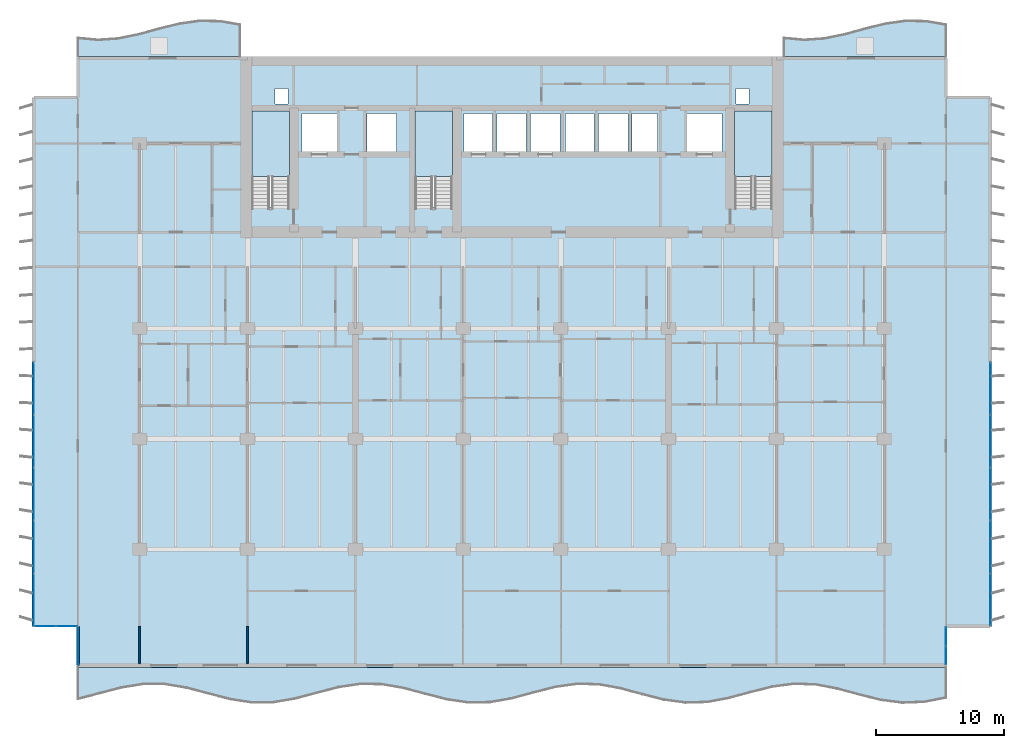
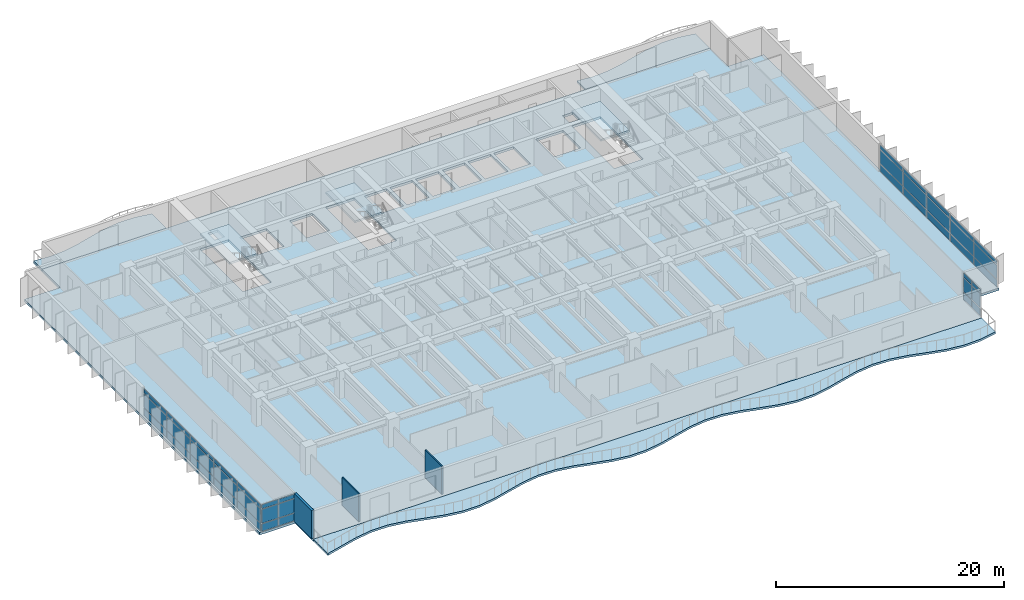
# One storey, part 5 of 15: 42 plates, 7 slabs, 3 walls, 7 elements without a shape of their own.
"""IFC4 building model written with IfcOpenShell, lengths in metres."""

from ifc_helpers import new_model, si_unit, direction, frame, frame_2d, origin, origin_2d, place, context, subcontext, project, spatial, polyline, rectangle, outline, extrude, material, layer, layer_set, type_object, element, aggregate, save


model = new_model("IFC4")

# Units and contexts
model_context = context("Model", 3, precision=1e-05, world=origin(), true_north=direction((0.0, 1.0)))
body_context = subcontext(model_context, "Body", "Model", "MODEL_VIEW")
ifc_project = project(units=[si_unit("LENGTHUNIT", "METRE"), si_unit("AREAUNIT", "SQUARE_METRE"), si_unit("VOLUMEUNIT", "CUBIC_METRE"), si_unit("PLANEANGLEUNIT", "RADIAN"), si_unit("MASSUNIT", "GRAM", prefix="KILO")], contexts=[model_context])

# Site, building, storey
site_placement = place(None, origin())
site = spatial("IfcSite", under=ifc_project, at=site_placement, CompositionType="ELEMENT")
building_placement = place(site_placement, origin())
building = spatial("IfcBuilding", under=site, at=building_placement, Name="Caelmar Bay Residences", CompositionType="ELEMENT")
storey_placement = place(building_placement, frame((0.0, 0.0, 76.199951171875)))
storey = spatial("IfcBuildingStorey", under=building, at=storey_placement, Name="L20", CompositionType="ELEMENT", Elevation=76.199951171875)

# Curtain wall, plates
ifc_material_1 = material(Name="Anodised bronze aluminium 6063-T6 and laminated glass", Category="aluminium")
ifc_layer_1 = layer(ifc_material_1, 0.179931640625)
ifc_layer_set_1 = layer_set([ifc_layer_1], Name="Anodised bronze aluminium 6063-T6 and laminated glass")
curtain_wall_type_1 = type_object("IfcCurtainWallType", Name="CW6-NTC", PredefinedType="NOTDEFINED", material=ifc_layer_set_1)
curtain_wall_1_placement = place(storey_placement, origin())
curtain_wall_1 = element("IfcCurtainWall", 1, at=curtain_wall_1_placement, inside=storey, type_object=curtain_wall_type_1, Name="CW6 curtain wall L20", PredefinedType="NOTDEFINED")
ifc_material_2 = material(Name="Bronze-tinted laminated low-E hurricane glass 28 mm", Category="glass")
ifc_layer_2 = layer(ifc_material_2, 0.028076171875)
ifc_layer_set_2 = layer_set([ifc_layer_2], Name="Bronze-tinted laminated low-E hurricane glass 28 mm")
plate_type = type_object("IfcPlateType", Name="CWP-GLZ28", PredefinedType="CURTAIN_PANEL", material=ifc_layer_set_2)
plate_1_placement = place(storey_placement, frame((2.532470703125, 6.199951171875, 0.080078125), z_axis=(0.0, 0.0, 1.0), x_axis=(1.0, 0.0, 0.0)))
plate_1 = element("IfcPlate", 2, at=plate_1_placement, type_object=plate_type, Name="CW6 panel 1.1", PredefinedType="CURTAIN_PANEL", context=body_context, shape_type="SweptSolid", body=[
    extrude(rectangle(XDim=1.60498046875, YDim=0.028076171875, at=origin_2d()), origin(), (0.0, 0.0, 1.0), 0.780029296875),
])
plate_2_placement = place(storey_placement, frame((2.532470703125, 6.199951171875, 0.93994140625), z_axis=(0.0, 0.0, 1.0), x_axis=(1.0, 0.0, 0.0)))
plate_2 = element("IfcPlate", 3, at=plate_2_placement, type_object=plate_type, Name="CW6 panel 1.2", PredefinedType="CURTAIN_PANEL", context=body_context, shape_type="SweptSolid", body=[
    extrude(rectangle(XDim=1.60498046875, YDim=0.028076171875, at=origin_2d()), origin(), (0.0, 0.0, 1.0), 1.469970703125),
])
plate_3_placement = place(storey_placement, frame((2.532470703125, 6.199951171875, 2.490234375), z_axis=(0.0, 0.0, 1.0), x_axis=(1.0, 0.0, 0.0)))
plate_3 = element("IfcPlate", 4, at=plate_3_placement, type_object=plate_type, Name="CW6 panel 1.3", PredefinedType="CURTAIN_PANEL", context=body_context, shape_type="SweptSolid", body=[
    extrude(rectangle(XDim=1.60498046875, YDim=0.028076171875, at=origin_2d()), origin(), (0.0, 0.0, 1.0), 0.429931640625),
])
plate_4_placement = place(storey_placement, frame((4.217529296875, 6.199951171875, 0.080078125), z_axis=(0.0, 0.0, 1.0), x_axis=(1.0, 0.0, 0.0)))
plate_4 = element("IfcPlate", 5, at=plate_4_placement, type_object=plate_type, Name="CW6 panel 2.1", PredefinedType="CURTAIN_PANEL", context=body_context, shape_type="SweptSolid", body=[
    extrude(rectangle(XDim=1.60498046875, YDim=0.028076171875, at=origin_2d()), origin(), (0.0, 0.0, 1.0), 0.780029296875),
])
plate_5_placement = place(storey_placement, frame((4.217529296875, 6.199951171875, 0.93994140625), z_axis=(0.0, 0.0, 1.0), x_axis=(1.0, 0.0, 0.0)))
plate_5 = element("IfcPlate", 6, at=plate_5_placement, type_object=plate_type, Name="CW6 panel 2.2", PredefinedType="CURTAIN_PANEL", context=body_context, shape_type="SweptSolid", body=[
    extrude(rectangle(XDim=1.60498046875, YDim=0.028076171875, at=origin_2d()), origin(), (0.0, 0.0, 1.0), 1.469970703125),
])
plate_6_placement = place(storey_placement, frame((4.217529296875, 6.199951171875, 2.490234375), z_axis=(0.0, 0.0, 1.0), x_axis=(1.0, 0.0, 0.0)))
plate_6 = element("IfcPlate", 7, at=plate_6_placement, type_object=plate_type, Name="CW6 panel 2.3", PredefinedType="CURTAIN_PANEL", context=body_context, shape_type="SweptSolid", body=[
    extrude(rectangle(XDim=1.60498046875, YDim=0.028076171875, at=origin_2d()), origin(), (0.0, 0.0, 1.0), 0.429931640625),
])
aggregate(curtain_wall_1, [plate_1, plate_2, plate_3, plate_4, plate_5, plate_6])

curtain_wall_2_placement = place(storey_placement, origin())
curtain_wall_2 = element("IfcCurtainWall", 8, at=curtain_wall_2_placement, inside=storey, type_object=curtain_wall_type_1, Name="CW6 curtain wall L20", PredefinedType="NOTDEFINED")
plate_7_placement = place(storey_placement, frame((72.699951171875, 3.9326171875, 0.080078125), z_axis=(0.0, 0.0, 1.0), x_axis=(0.0, 1.0, 0.0)))
plate_7 = element("IfcPlate", 9, at=plate_7_placement, type_object=plate_type, Name="CW6 panel 1.1", PredefinedType="CURTAIN_PANEL", context=body_context, shape_type="SweptSolid", body=[
    extrude(rectangle(XDim=1.405029296875, YDim=0.028076171875, at=origin_2d()), origin(), (0.0, 0.0, 1.0), 0.780029296875),
])
plate_8_placement = place(storey_placement, frame((72.699951171875, 3.9326171875, 0.93994140625), z_axis=(0.0, 0.0, 1.0), x_axis=(0.0, 1.0, 0.0)))
plate_8 = element("IfcPlate", 10, at=plate_8_placement, type_object=plate_type, Name="CW6 panel 1.2", PredefinedType="CURTAIN_PANEL", context=body_context, shape_type="SweptSolid", body=[
    extrude(rectangle(XDim=1.405029296875, YDim=0.028076171875, at=origin_2d()), origin(), (0.0, 0.0, 1.0), 1.469970703125),
])
plate_9_placement = place(storey_placement, frame((72.699951171875, 3.9326171875, 2.490234375), z_axis=(0.0, 0.0, 1.0), x_axis=(0.0, 1.0, 0.0)))
plate_9 = element("IfcPlate", 11, at=plate_9_placement, type_object=plate_type, Name="CW6 panel 1.3", PredefinedType="CURTAIN_PANEL", context=body_context, shape_type="SweptSolid", body=[
    extrude(rectangle(XDim=1.405029296875, YDim=0.028076171875, at=origin_2d()), origin(), (0.0, 0.0, 1.0), 0.429931640625),
])
plate_10_placement = place(storey_placement, frame((72.699951171875, 5.41748046875, 0.080078125), z_axis=(0.0, 0.0, 1.0), x_axis=(0.0, 1.0, 0.0)))
plate_10 = element("IfcPlate", 12, at=plate_10_placement, type_object=plate_type, Name="CW6 panel 2.1", PredefinedType="CURTAIN_PANEL", context=body_context, shape_type="SweptSolid", body=[
    extrude(rectangle(XDim=1.405029296875, YDim=0.028076171875, at=origin_2d()), origin(), (0.0, 0.0, 1.0), 0.780029296875),
])
plate_11_placement = place(storey_placement, frame((72.699951171875, 5.41748046875, 0.93994140625), z_axis=(0.0, 0.0, 1.0), x_axis=(0.0, 1.0, 0.0)))
plate_11 = element("IfcPlate", 13, at=plate_11_placement, type_object=plate_type, Name="CW6 panel 2.2", PredefinedType="CURTAIN_PANEL", context=body_context, shape_type="SweptSolid", body=[
    extrude(rectangle(XDim=1.405029296875, YDim=0.028076171875, at=origin_2d()), origin(), (0.0, 0.0, 1.0), 1.469970703125),
])
plate_12_placement = place(storey_placement, frame((72.699951171875, 5.41748046875, 2.490234375), z_axis=(0.0, 0.0, 1.0), x_axis=(0.0, 1.0, 0.0)))
plate_12 = element("IfcPlate", 14, at=plate_12_placement, type_object=plate_type, Name="CW6 panel 2.3", PredefinedType="CURTAIN_PANEL", context=body_context, shape_type="SweptSolid", body=[
    extrude(rectangle(XDim=1.405029296875, YDim=0.028076171875, at=origin_2d()), origin(), (0.0, 0.0, 1.0), 0.429931640625),
])
aggregate(curtain_wall_2, [plate_7, plate_8, plate_9, plate_10, plate_11, plate_12])

ifc_layer_3 = layer(ifc_material_1, 0.179931640625)
ifc_layer_set_3 = layer_set([ifc_layer_3], Name="Anodised bronze aluminium 6063-T6 and laminated glass")
curtain_wall_type_2 = type_object("IfcCurtainWallType", Name="CW2-Z1", PredefinedType="NOTDEFINED", material=ifc_layer_set_3)
curtain_wall_3_placement = place(storey_placement, origin())
curtain_wall_3 = element("IfcCurtainWall", 15, at=curtain_wall_3_placement, inside=storey, type_object=curtain_wall_type_2, Name="CW2 curtain wall L20", PredefinedType="NOTDEFINED")
plate_13_placement = place(storey_placement, frame((1.64990234375, 8.280029296875, 0.080078125), z_axis=(0.0, 0.0, 1.0), x_axis=(0.0, 1.0, 0.0)))
plate_13 = element("IfcPlate", 16, at=plate_13_placement, type_object=plate_type, Name="CW2 panel 1.1", PredefinedType="CURTAIN_PANEL", context=body_context, shape_type="SweptSolid", body=[
    extrude(rectangle(XDim=4.0, YDim=0.028076171875, at=origin_2d()), origin(), (0.0, 0.0, 1.0), 0.780029296875),
])
plate_14_placement = place(storey_placement, frame((1.64990234375, 8.280029296875, 0.93994140625), z_axis=(0.0, 0.0, 1.0), x_axis=(0.0, 1.0, 0.0)))
plate_14 = element("IfcPlate", 17, at=plate_14_placement, type_object=plate_type, Name="CW2 panel 1.2", PredefinedType="CURTAIN_PANEL", context=body_context, shape_type="SweptSolid", body=[
    extrude(rectangle(XDim=4.0, YDim=0.028076171875, at=origin_2d()), origin(), (0.0, 0.0, 1.0), 1.469970703125),
])
plate_15_placement = place(storey_placement, frame((1.64990234375, 8.280029296875, 2.490234375), z_axis=(0.0, 0.0, 1.0), x_axis=(0.0, 1.0, 0.0)))
plate_15 = element("IfcPlate", 18, at=plate_15_placement, type_object=plate_type, Name="CW2 panel 1.3", PredefinedType="CURTAIN_PANEL", context=body_context, shape_type="SweptSolid", body=[
    extrude(rectangle(XDim=4.0, YDim=0.028076171875, at=origin_2d()), origin(), (0.0, 0.0, 1.0), 0.429931640625),
])
plate_16_placement = place(storey_placement, frame((1.64990234375, 12.3798828125, 0.080078125), z_axis=(0.0, 0.0, 1.0), x_axis=(0.0, 1.0, 0.0)))
plate_16 = element("IfcPlate", 19, at=plate_16_placement, type_object=plate_type, Name="CW2 panel 2.1", PredefinedType="CURTAIN_PANEL", context=body_context, shape_type="SweptSolid", body=[
    extrude(rectangle(XDim=4.0400390625, YDim=0.028076171875, at=origin_2d()), origin(), (0.0, 0.0, 1.0), 0.780029296875),
])
plate_17_placement = place(storey_placement, frame((1.64990234375, 12.3798828125, 0.93994140625), z_axis=(0.0, 0.0, 1.0), x_axis=(0.0, 1.0, 0.0)))
plate_17 = element("IfcPlate", 20, at=plate_17_placement, type_object=plate_type, Name="CW2 panel 2.2", PredefinedType="CURTAIN_PANEL", context=body_context, shape_type="SweptSolid", body=[
    extrude(rectangle(XDim=4.0400390625, YDim=0.028076171875, at=origin_2d()), origin(), (0.0, 0.0, 1.0), 1.469970703125),
])
plate_18_placement = place(storey_placement, frame((1.64990234375, 12.3798828125, 2.490234375), z_axis=(0.0, 0.0, 1.0), x_axis=(0.0, 1.0, 0.0)))
plate_18 = element("IfcPlate", 21, at=plate_18_placement, type_object=plate_type, Name="CW2 panel 2.3", PredefinedType="CURTAIN_PANEL", context=body_context, shape_type="SweptSolid", body=[
    extrude(rectangle(XDim=4.0400390625, YDim=0.028076171875, at=origin_2d()), origin(), (0.0, 0.0, 1.0), 0.429931640625),
])
plate_19_placement = place(storey_placement, frame((1.64990234375, 16.5, 0.080078125), z_axis=(0.0, 0.0, 1.0), x_axis=(0.0, 1.0, 0.0)))
plate_19 = element("IfcPlate", 22, at=plate_19_placement, type_object=plate_type, Name="CW2 panel 3.1", PredefinedType="CURTAIN_PANEL", context=body_context, shape_type="SweptSolid", body=[
    extrude(rectangle(XDim=4.0400390625, YDim=0.028076171875, at=origin_2d()), origin(), (0.0, 0.0, 1.0), 0.780029296875),
])
plate_20_placement = place(storey_placement, frame((1.64990234375, 16.5, 0.93994140625), z_axis=(0.0, 0.0, 1.0), x_axis=(0.0, 1.0, 0.0)))
plate_20 = element("IfcPlate", 23, at=plate_20_placement, type_object=plate_type, Name="CW2 panel 3.2", PredefinedType="CURTAIN_PANEL", context=body_context, shape_type="SweptSolid", body=[
    extrude(rectangle(XDim=4.0400390625, YDim=0.028076171875, at=origin_2d()), origin(), (0.0, 0.0, 1.0), 1.469970703125),
])
plate_21_placement = place(storey_placement, frame((1.64990234375, 16.5, 2.490234375), z_axis=(0.0, 0.0, 1.0), x_axis=(0.0, 1.0, 0.0)))
plate_21 = element("IfcPlate", 24, at=plate_21_placement, type_object=plate_type, Name="CW2 panel 3.3", PredefinedType="CURTAIN_PANEL", context=body_context, shape_type="SweptSolid", body=[
    extrude(rectangle(XDim=4.0400390625, YDim=0.028076171875, at=origin_2d()), origin(), (0.0, 0.0, 1.0), 0.429931640625),
])
plate_22_placement = place(storey_placement, frame((1.64990234375, 20.6201171875, 0.080078125), z_axis=(0.0, 0.0, 1.0), x_axis=(0.0, 1.0, 0.0)))
plate_22 = element("IfcPlate", 25, at=plate_22_placement, type_object=plate_type, Name="CW2 panel 4.1", PredefinedType="CURTAIN_PANEL", context=body_context, shape_type="SweptSolid", body=[
    extrude(rectangle(XDim=4.0400390625, YDim=0.028076171875, at=origin_2d()), origin(), (0.0, 0.0, 1.0), 0.780029296875),
])
plate_23_placement = place(storey_placement, frame((1.64990234375, 20.6201171875, 0.93994140625), z_axis=(0.0, 0.0, 1.0), x_axis=(0.0, 1.0, 0.0)))
plate_23 = element("IfcPlate", 26, at=plate_23_placement, type_object=plate_type, Name="CW2 panel 4.2", PredefinedType="CURTAIN_PANEL", context=body_context, shape_type="SweptSolid", body=[
    extrude(rectangle(XDim=4.0400390625, YDim=0.028076171875, at=origin_2d()), origin(), (0.0, 0.0, 1.0), 1.469970703125),
])
plate_24_placement = place(storey_placement, frame((1.64990234375, 20.6201171875, 2.490234375), z_axis=(0.0, 0.0, 1.0), x_axis=(0.0, 1.0, 0.0)))
plate_24 = element("IfcPlate", 27, at=plate_24_placement, type_object=plate_type, Name="CW2 panel 4.3", PredefinedType="CURTAIN_PANEL", context=body_context, shape_type="SweptSolid", body=[
    extrude(rectangle(XDim=4.0400390625, YDim=0.028076171875, at=origin_2d()), origin(), (0.0, 0.0, 1.0), 0.429931640625),
])
plate_25_placement = place(storey_placement, frame((1.64990234375, 24.719970703125, 0.080078125), z_axis=(0.0, 0.0, 1.0), x_axis=(0.0, 1.0, 0.0)))
plate_25 = element("IfcPlate", 28, at=plate_25_placement, type_object=plate_type, Name="CW2 panel 5.1", PredefinedType="CURTAIN_PANEL", context=body_context, shape_type="SweptSolid", body=[
    extrude(rectangle(XDim=4.0, YDim=0.028076171875, at=origin_2d()), origin(), (0.0, 0.0, 1.0), 0.780029296875),
])
plate_26_placement = place(storey_placement, frame((1.64990234375, 24.719970703125, 0.93994140625), z_axis=(0.0, 0.0, 1.0), x_axis=(0.0, 1.0, 0.0)))
plate_26 = element("IfcPlate", 29, at=plate_26_placement, type_object=plate_type, Name="CW2 panel 5.2", PredefinedType="CURTAIN_PANEL", context=body_context, shape_type="SweptSolid", body=[
    extrude(rectangle(XDim=4.0, YDim=0.028076171875, at=origin_2d()), origin(), (0.0, 0.0, 1.0), 1.469970703125),
])
plate_27_placement = place(storey_placement, frame((1.64990234375, 24.719970703125, 2.490234375), z_axis=(0.0, 0.0, 1.0), x_axis=(0.0, 1.0, 0.0)))
plate_27 = element("IfcPlate", 30, at=plate_27_placement, type_object=plate_type, Name="CW2 panel 5.3", PredefinedType="CURTAIN_PANEL", context=body_context, shape_type="SweptSolid", body=[
    extrude(rectangle(XDim=4.0, YDim=0.028076171875, at=origin_2d()), origin(), (0.0, 0.0, 1.0), 0.429931640625),
])
aggregate(curtain_wall_3, [plate_13, plate_14, plate_15, plate_16, plate_17, plate_18, plate_19, plate_20, plate_21, plate_22, plate_23, plate_24, plate_25, plate_26, plate_27])

curtain_wall_4_placement = place(storey_placement, origin())
curtain_wall_4 = element("IfcCurtainWall", 31, at=curtain_wall_4_placement, inside=storey, type_object=curtain_wall_type_2, Name="CW2 curtain wall L20", PredefinedType="NOTDEFINED")
plate_28_placement = place(storey_placement, frame((76.14990234375, 24.719970703125, 0.080078125), z_axis=(0.0, 0.0, 1.0), x_axis=(0.0, -1.0, 0.0)))
plate_28 = element("IfcPlate", 32, at=plate_28_placement, type_object=plate_type, Name="CW2 panel 1.1", PredefinedType="CURTAIN_PANEL", context=body_context, shape_type="SweptSolid", body=[
    extrude(rectangle(XDim=4.0, YDim=0.028076171875, at=origin_2d()), origin(), (0.0, 0.0, 1.0), 0.780029296875),
])
plate_29_placement = place(storey_placement, frame((76.14990234375, 24.719970703125, 0.93994140625), z_axis=(0.0, 0.0, 1.0), x_axis=(0.0, -1.0, 0.0)))
plate_29 = element("IfcPlate", 33, at=plate_29_placement, type_object=plate_type, Name="CW2 panel 1.2", PredefinedType="CURTAIN_PANEL", context=body_context, shape_type="SweptSolid", body=[
    extrude(rectangle(XDim=4.0, YDim=0.028076171875, at=origin_2d()), origin(), (0.0, 0.0, 1.0), 1.469970703125),
])
plate_30_placement = place(storey_placement, frame((76.14990234375, 24.719970703125, 2.490234375), z_axis=(0.0, 0.0, 1.0), x_axis=(0.0, -1.0, 0.0)))
plate_30 = element("IfcPlate", 34, at=plate_30_placement, type_object=plate_type, Name="CW2 panel 1.3", PredefinedType="CURTAIN_PANEL", context=body_context, shape_type="SweptSolid", body=[
    extrude(rectangle(XDim=4.0, YDim=0.028076171875, at=origin_2d()), origin(), (0.0, 0.0, 1.0), 0.429931640625),
])
plate_31_placement = place(storey_placement, frame((76.14990234375, 20.6201171875, 0.080078125), z_axis=(0.0, 0.0, 1.0), x_axis=(0.0, -1.0, 0.0)))
plate_31 = element("IfcPlate", 35, at=plate_31_placement, type_object=plate_type, Name="CW2 panel 2.1", PredefinedType="CURTAIN_PANEL", context=body_context, shape_type="SweptSolid", body=[
    extrude(rectangle(XDim=4.0400390625, YDim=0.028076171875, at=origin_2d()), origin(), (0.0, 0.0, 1.0), 0.780029296875),
])
plate_32_placement = place(storey_placement, frame((76.14990234375, 20.6201171875, 0.93994140625), z_axis=(0.0, 0.0, 1.0), x_axis=(0.0, -1.0, 0.0)))
plate_32 = element("IfcPlate", 36, at=plate_32_placement, type_object=plate_type, Name="CW2 panel 2.2", PredefinedType="CURTAIN_PANEL", context=body_context, shape_type="SweptSolid", body=[
    extrude(rectangle(XDim=4.0400390625, YDim=0.028076171875, at=origin_2d()), origin(), (0.0, 0.0, 1.0), 1.469970703125),
])
plate_33_placement = place(storey_placement, frame((76.14990234375, 20.6201171875, 2.490234375), z_axis=(0.0, 0.0, 1.0), x_axis=(0.0, -1.0, 0.0)))
plate_33 = element("IfcPlate", 37, at=plate_33_placement, type_object=plate_type, Name="CW2 panel 2.3", PredefinedType="CURTAIN_PANEL", context=body_context, shape_type="SweptSolid", body=[
    extrude(rectangle(XDim=4.0400390625, YDim=0.028076171875, at=origin_2d()), origin(), (0.0, 0.0, 1.0), 0.429931640625),
])
plate_34_placement = place(storey_placement, frame((76.14990234375, 16.5, 0.080078125), z_axis=(0.0, 0.0, 1.0), x_axis=(0.0, -1.0, 0.0)))
plate_34 = element("IfcPlate", 38, at=plate_34_placement, type_object=plate_type, Name="CW2 panel 3.1", PredefinedType="CURTAIN_PANEL", context=body_context, shape_type="SweptSolid", body=[
    extrude(rectangle(XDim=4.0400390625, YDim=0.028076171875, at=origin_2d()), origin(), (0.0, 0.0, 1.0), 0.780029296875),
])
plate_35_placement = place(storey_placement, frame((76.14990234375, 16.5, 0.93994140625), z_axis=(0.0, 0.0, 1.0), x_axis=(0.0, -1.0, 0.0)))
plate_35 = element("IfcPlate", 39, at=plate_35_placement, type_object=plate_type, Name="CW2 panel 3.2", PredefinedType="CURTAIN_PANEL", context=body_context, shape_type="SweptSolid", body=[
    extrude(rectangle(XDim=4.0400390625, YDim=0.028076171875, at=origin_2d()), origin(), (0.0, 0.0, 1.0), 1.469970703125),
])
plate_36_placement = place(storey_placement, frame((76.14990234375, 16.5, 2.490234375), z_axis=(0.0, 0.0, 1.0), x_axis=(0.0, -1.0, 0.0)))
plate_36 = element("IfcPlate", 40, at=plate_36_placement, type_object=plate_type, Name="CW2 panel 3.3", PredefinedType="CURTAIN_PANEL", context=body_context, shape_type="SweptSolid", body=[
    extrude(rectangle(XDim=4.0400390625, YDim=0.028076171875, at=origin_2d()), origin(), (0.0, 0.0, 1.0), 0.429931640625),
])
plate_37_placement = place(storey_placement, frame((76.14990234375, 12.3798828125, 0.080078125), z_axis=(0.0, 0.0, 1.0), x_axis=(0.0, -1.0, 0.0)))
plate_37 = element("IfcPlate", 41, at=plate_37_placement, type_object=plate_type, Name="CW2 panel 4.1", PredefinedType="CURTAIN_PANEL", context=body_context, shape_type="SweptSolid", body=[
    extrude(rectangle(XDim=4.0400390625, YDim=0.028076171875, at=origin_2d()), origin(), (0.0, 0.0, 1.0), 0.780029296875),
])
plate_38_placement = place(storey_placement, frame((76.14990234375, 12.3798828125, 0.93994140625), z_axis=(0.0, 0.0, 1.0), x_axis=(0.0, -1.0, 0.0)))
plate_38 = element("IfcPlate", 42, at=plate_38_placement, type_object=plate_type, Name="CW2 panel 4.2", PredefinedType="CURTAIN_PANEL", context=body_context, shape_type="SweptSolid", body=[
    extrude(rectangle(XDim=4.0400390625, YDim=0.028076171875, at=origin_2d()), origin(), (0.0, 0.0, 1.0), 1.469970703125),
])
plate_39_placement = place(storey_placement, frame((76.14990234375, 12.3798828125, 2.490234375), z_axis=(0.0, 0.0, 1.0), x_axis=(0.0, -1.0, 0.0)))
plate_39 = element("IfcPlate", 43, at=plate_39_placement, type_object=plate_type, Name="CW2 panel 4.3", PredefinedType="CURTAIN_PANEL", context=body_context, shape_type="SweptSolid", body=[
    extrude(rectangle(XDim=4.0400390625, YDim=0.028076171875, at=origin_2d()), origin(), (0.0, 0.0, 1.0), 0.429931640625),
])
plate_40_placement = place(storey_placement, frame((76.14990234375, 8.280029296875, 0.080078125), z_axis=(0.0, 0.0, 1.0), x_axis=(0.0, -1.0, 0.0)))
plate_40 = element("IfcPlate", 44, at=plate_40_placement, type_object=plate_type, Name="CW2 panel 5.1", PredefinedType="CURTAIN_PANEL", context=body_context, shape_type="SweptSolid", body=[
    extrude(rectangle(XDim=4.0, YDim=0.028076171875, at=origin_2d()), origin(), (0.0, 0.0, 1.0), 0.780029296875),
])
plate_41_placement = place(storey_placement, frame((76.14990234375, 8.280029296875, 0.93994140625), z_axis=(0.0, 0.0, 1.0), x_axis=(0.0, -1.0, 0.0)))
plate_41 = element("IfcPlate", 45, at=plate_41_placement, type_object=plate_type, Name="CW2 panel 5.2", PredefinedType="CURTAIN_PANEL", context=body_context, shape_type="SweptSolid", body=[
    extrude(rectangle(XDim=4.0, YDim=0.028076171875, at=origin_2d()), origin(), (0.0, 0.0, 1.0), 1.469970703125),
])
plate_42_placement = place(storey_placement, frame((76.14990234375, 8.280029296875, 2.490234375), z_axis=(0.0, 0.0, 1.0), x_axis=(0.0, -1.0, 0.0)))
plate_42 = element("IfcPlate", 46, at=plate_42_placement, type_object=plate_type, Name="CW2 panel 5.3", PredefinedType="CURTAIN_PANEL", context=body_context, shape_type="SweptSolid", body=[
    extrude(rectangle(XDim=4.0, YDim=0.028076171875, at=origin_2d()), origin(), (0.0, 0.0, 1.0), 0.429931640625),
])
aggregate(curtain_wall_4, [plate_28, plate_29, plate_30, plate_31, plate_32, plate_33, plate_34, plate_35, plate_36, plate_37, plate_38, plate_39, plate_40, plate_41, plate_42])

# Slabs
ifc_material_3 = material(Name="Concrete f'c 40 MPa (6,000 psi)", Category="concrete")
ifc_layer_4 = layer(ifc_material_3, 0.219970703125)
ifc_layer_set_4 = layer_set([ifc_layer_4], Name="Concrete f'c 40 MPa (6,000 psi)")
slab_type_1 = type_object("IfcSlabType", Name="SLB-BAL-220", PredefinedType="FLOOR", material=ifc_layer_set_4)
slab_1_placement = place(storey_placement, frame((0.0, 0.0, -0.219970703125)))
element("IfcSlab", 47, at=slab_1_placement, inside=storey, type_object=slab_type_1, Name="L20 Sinusoidal Tree-Balcony Slab south", PredefinedType="FLOOR", context=body_context, shape_type="SweptSolid", body=[
    extrude(outline(polyline([(5.10009765625, 0.459228515625), (6.7900390625, 0.90283203125), (8.47998046875, 1.345458984375), (10.169921875, 1.61572265625), (11.860107421875, 1.609619140625), (13.550048828125, 1.329345703125), (15.239990234375, 0.88330078125), (16.929931640625, 0.443359375), (18.6201171875, 0.18017578125), (20.31005859375, 0.19482421875), (22.0, 0.482177734375), (23.68994140625, 0.930908203125), (25.3798828125, 1.36767578125), (27.070068359375, 1.623779296875), (28.760009765625, 1.60009765625), (30.449951171875, 1.30615234375), (32.139892578125, 0.85498046875), (33.830078125, 0.42138671875), (35.52001953125, 0.172607421875), (37.2099609375, 0.205078125), (38.89990234375, 0.505615234375), (40.590087890625, 0.958740234375), (42.280029296875, 1.38916015625), (43.969970703125, 1.630615234375), (45.659912109375, 1.589599609375), (47.35009765625, 1.2822265625), (49.0400390625, 0.8271484375), (50.72998046875, 0.400146484375), (52.419921875, 0.16650390625), (54.110107421875, 0.216064453125), (55.800048828125, 0.52978515625), (57.489990234375, 0.98681640625), (59.179931640625, 1.41015625), (60.8701171875, 1.636474609375), (62.56005859375, 1.578125), (64.25, 1.2578125), (65.93994140625, 0.79931640625), (67.6298828125, 0.379638671875), (69.320068359375, 0.1611328125), (71.010009765625, 0.22802734375), (72.699951171875, 0.554443359375), (72.699951171875, 3.0), (5.10009765625, 3.0), (5.10009765625, 0.459228515625)])), origin(), (0.0, 0.0, 1.0), 0.219970703125),
])
slab_2_placement = place(storey_placement, frame((0.0, 0.0, -0.219970703125)))
element("IfcSlab", 48, at=slab_2_placement, inside=storey, type_object=slab_type_1, Name="L20 Sinusoidal Tree-Balcony Slab north_west", PredefinedType="FLOOR", context=body_context, shape_type="SweptSolid", body=[
    extrude(outline(polyline([(5.10009765625, 50.60009765625), (17.699951171875, 50.60009765625), (17.699951171875, 53.140869140625), (16.125, 53.403564453125), (14.550048828125, 53.42919921875), (12.97509765625, 53.208984375), (11.39990234375, 52.8173828125), (9.824951171875, 52.385986328125), (8.25, 52.060546875), (6.675048828125, 51.95068359375), (5.10009765625, 52.09326171875), (5.10009765625, 50.60009765625)])), origin(), (0.0, 0.0, 1.0), 0.219970703125),
])
slab_3_placement = place(storey_placement, frame((0.0, 0.0, -0.219970703125)))
element("IfcSlab", 49, at=slab_3_placement, inside=storey, type_object=slab_type_1, Name="L20 Sinusoidal Tree-Balcony Slab north_east", PredefinedType="FLOOR", context=body_context, shape_type="SweptSolid", body=[
    extrude(outline(polyline([(60.10009765625, 50.60009765625), (72.699951171875, 50.60009765625), (72.699951171875, 53.140869140625), (71.125, 53.403564453125), (69.550048828125, 53.42919921875), (67.97509765625, 53.208984375), (66.39990234375, 52.8173828125), (64.824951171875, 52.385986328125), (63.25, 52.060546875), (61.675048828125, 51.95068359375), (60.10009765625, 52.09326171875), (60.10009765625, 50.60009765625)])), origin(), (0.0, 0.0, 1.0), 0.219970703125),
])

# Stair, slab
stair_type = type_object("IfcStairType", Name="ST-TYP-165", PredefinedType="HALF_TURN_STAIR", material=ifc_material_3)
stair_1_placement = place(storey_placement, origin())
stair_1 = element("IfcStair", 50, at=stair_1_placement, inside=storey, type_object=stair_type, Name="L20 West Smokeproof Exit Stair ST1", PredefinedType="HALF_TURN_STAIR")
ifc_layer_5 = layer(ifc_material_3, 0.199951171875)
ifc_layer_set_5 = layer_set([ifc_layer_5], Name="Concrete f'c 40 MPa (6,000 psi)")
slab_type_2 = type_object("IfcSlabType", Name="SLB-LND-200", PredefinedType="LANDING", material=ifc_layer_set_5)
slab_4_placement = place(storey_placement, frame((0.0, 0.0, 1.449951171875)))
slab_4 = element("IfcSlab", 51, at=slab_4_placement, type_object=slab_type_2, Name="ST1 landing 1", PredefinedType="LANDING", context=body_context, shape_type="SweptSolid", body=[
    extrude(outline(polyline([(21.550048828125, 41.219970703125), (21.550048828125, 46.35009765625), (18.64990234375, 46.35009765625), (18.64990234375, 41.219970703125), (21.550048828125, 41.219970703125)])), origin(), (0.0, 0.0, 1.0), 0.2001953125),
])
aggregate(stair_1, [slab_4])

stair_2_placement = place(storey_placement, origin())
stair_2 = element("IfcStair", 52, at=stair_2_placement, inside=storey, type_object=stair_type, Name="L20 East Smokeproof Exit Stair ST2", PredefinedType="HALF_TURN_STAIR")
slab_5_placement = place(storey_placement, frame((0.0, 0.0, 1.449951171875)))
slab_5 = element("IfcSlab", 53, at=slab_5_placement, type_object=slab_type_2, Name="ST2 landing 1", PredefinedType="LANDING", context=body_context, shape_type="SweptSolid", body=[
    extrude(outline(polyline([(59.14990234375, 41.219970703125), (59.14990234375, 46.35009765625), (56.25, 46.35009765625), (56.25, 41.219970703125), (59.14990234375, 41.219970703125)])), origin(), (0.0, 0.0, 1.0), 0.2001953125),
])
aggregate(stair_2, [slab_5])

stair_3_placement = place(storey_placement, origin())
stair_3 = element("IfcStair", 54, at=stair_3_placement, inside=storey, type_object=stair_type, Name="L20 Central Smokeproof Exit Stair ST3", PredefinedType="HALF_TURN_STAIR")
slab_6_placement = place(storey_placement, frame((0.0, 0.0, 1.449951171875)))
slab_6 = element("IfcSlab", 55, at=slab_6_placement, type_object=slab_type_2, Name="ST3 landing 1", PredefinedType="LANDING", context=body_context, shape_type="SweptSolid", body=[
    extrude(outline(polyline([(34.25, 41.219970703125), (34.25, 46.35009765625), (31.35009765625, 46.35009765625), (31.35009765625, 41.219970703125), (34.25, 41.219970703125)])), origin(), (0.0, 0.0, 1.0), 0.2001953125),
])
aggregate(stair_3, [slab_6])

# Slab
ifc_layer_6 = layer(ifc_material_3, 0.25)
ifc_layer_set_6 = layer_set([ifc_layer_6], Name="Concrete f'c 40 MPa (6,000 psi)")
slab_type_3 = type_object("IfcSlabType", Name="SLB-RES-250", PredefinedType="FLOOR", material=ifc_layer_set_6)
slab_7_placement = place(storey_placement, frame((0.0, 0.0, -0.25)))
element("IfcSlab", 56, at=slab_7_placement, inside=storey, type_object=slab_type_3, Name="L20 Structural Floor Slab", PredefinedType="FLOOR", context=body_context, shape_type="SweptSolid", body=[
    extrude(outline(polyline([(5.10009765625, 3.0), (72.699951171875, 3.0), (72.699951171875, 6.199951171875), (76.300048828125, 6.199951171875), (76.300048828125, 47.39990234375), (72.699951171875, 47.39990234375), (72.699951171875, 50.60009765625), (5.10009765625, 50.60009765625), (5.10009765625, 47.39990234375), (1.5, 47.39990234375), (1.5, 6.199951171875), (5.10009765625, 6.199951171875), (5.10009765625, 3.0)]), holes=[polyline([(18.64990234375, 38.85009765625), (21.550048828125, 38.85009765625), (21.550048828125, 46.35009765625), (18.64990234375, 46.35009765625), (18.64990234375, 38.85009765625)]), polyline([(56.25, 38.85009765625), (59.14990234375, 38.85009765625), (59.14990234375, 46.35009765625), (56.25, 46.35009765625), (56.25, 38.85009765625)]), polyline([(31.35009765625, 38.85009765625), (34.25, 38.85009765625), (34.25, 46.35009765625), (31.35009765625, 46.35009765625), (31.35009765625, 38.85009765625)]), polyline([(22.550048828125, 43.050048828125), (25.25, 43.050048828125), (25.25, 46.14990234375), (22.550048828125, 46.14990234375), (22.550048828125, 43.050048828125)]), polyline([(52.550048828125, 43.050048828125), (55.25, 43.050048828125), (55.25, 46.14990234375), (52.550048828125, 46.14990234375), (52.550048828125, 43.050048828125)]), polyline([(35.14990234375, 43.14990234375), (37.39990234375, 43.14990234375), (37.39990234375, 46.14990234375), (35.14990234375, 46.14990234375), (35.14990234375, 43.14990234375)]), polyline([(37.75, 43.14990234375), (40.0, 43.14990234375), (40.0, 46.14990234375), (37.75, 46.14990234375), (37.75, 43.14990234375)]), polyline([(40.35009765625, 43.14990234375), (42.64990234375, 43.14990234375), (42.64990234375, 46.14990234375), (40.35009765625, 46.14990234375), (40.35009765625, 43.14990234375)]), polyline([(43.050048828125, 43.14990234375), (45.300048828125, 43.14990234375), (45.300048828125, 46.14990234375), (43.050048828125, 46.14990234375), (43.050048828125, 43.14990234375)]), polyline([(45.64990234375, 43.14990234375), (47.949951171875, 43.14990234375), (47.949951171875, 46.14990234375), (45.64990234375, 46.14990234375), (45.64990234375, 43.14990234375)]), polyline([(48.25, 43.14990234375), (50.25, 43.14990234375), (50.25, 46.14990234375), (48.25, 46.14990234375), (48.25, 43.14990234375)]), polyline([(27.60009765625, 43.14990234375), (29.89990234375, 43.14990234375), (29.89990234375, 46.14990234375), (27.60009765625, 46.14990234375), (27.60009765625, 43.14990234375)]), polyline([(20.449951171875, 46.89990234375), (21.449951171875, 46.89990234375), (21.449951171875, 48.10009765625), (20.449951171875, 48.10009765625), (20.449951171875, 46.89990234375)]), polyline([(56.35009765625, 46.89990234375), (57.35009765625, 46.89990234375), (57.35009765625, 48.10009765625), (56.35009765625, 48.10009765625), (56.35009765625, 46.89990234375)])]), origin(), (0.0, 0.0, 1.0), 0.25),
])

# Walls
ifc_material_4 = material(Name="Precast concrete f'c 40 MPa (6,000 psi)", Category="concrete")
ifc_layer_7 = layer(ifc_material_4, 0.25)
ifc_layer_set_7 = layer_set([ifc_layer_7], Name="Precast concrete f'c 40 MPa (6,000 psi)")
wall_type_1 = type_object("IfcWallType", Name="W-EXT-250", PredefinedType="ELEMENTEDWALL", material=ifc_layer_set_7)
wall_placement = place(storey_placement, frame((5.10009765625, 6.199951171875, 0.0), z_axis=(0.0, 0.0, 1.0), x_axis=(0.0, -1.0, 0.0)))
element("IfcWall", 57, at=wall_placement, inside=storey, type_object=wall_type_1, Name="L20 SW Notch Return Wall", PredefinedType="ELEMENTEDWALL", context=body_context, shape_type="SweptSolid", body=[
    extrude(rectangle(XDim=3.050048828125, YDim=0.25, at=frame_2d((1.52490234375, 0.0))), origin(), (0.0, 0.0, 1.0), 3.0),
])
ifc_material_5 = material(Name="Acoustic metal-stud gypsum partition 120 mm")
ifc_layer_8 = layer(ifc_material_5, 0.1201171875)
ifc_layer_set_8 = layer_set([ifc_layer_8], Name="Acoustic metal-stud gypsum partition 120 mm")
wall_type_2 = type_object("IfcWallType", Name="W-PRT-120", PredefinedType="PARTITIONING", material=ifc_layer_set_8)
for number, where, z_axis, x_axis, name in (
    (58, (9.89990234375, 3.294921875, 0.0), (0.0, 0.0, 1.0), (0.0, 1.0, 0.0), "L20 Partition Wall V004"),
    (59, (18.300048828125, 3.294921875, 0.0), (0.0, 0.0, 1.0), (0.0, 1.0, 0.0), "L20 Partition Wall V010"),
):
    element("IfcWall", number, at=place(storey_placement, frame(where, z_axis=z_axis, x_axis=x_axis)), inside=storey, type_object=wall_type_2, Name=name, PredefinedType="PARTITIONING", context=body_context, shape_type="SweptSolid", body=[
        extrude(rectangle(XDim=2.905029296875, YDim=0.1201171875, at=frame_2d((1.45263671875, 0.0))), origin(), (0.0, 0.0, 1.0), 3.0),
    ])

save(model, "model.ifc")
